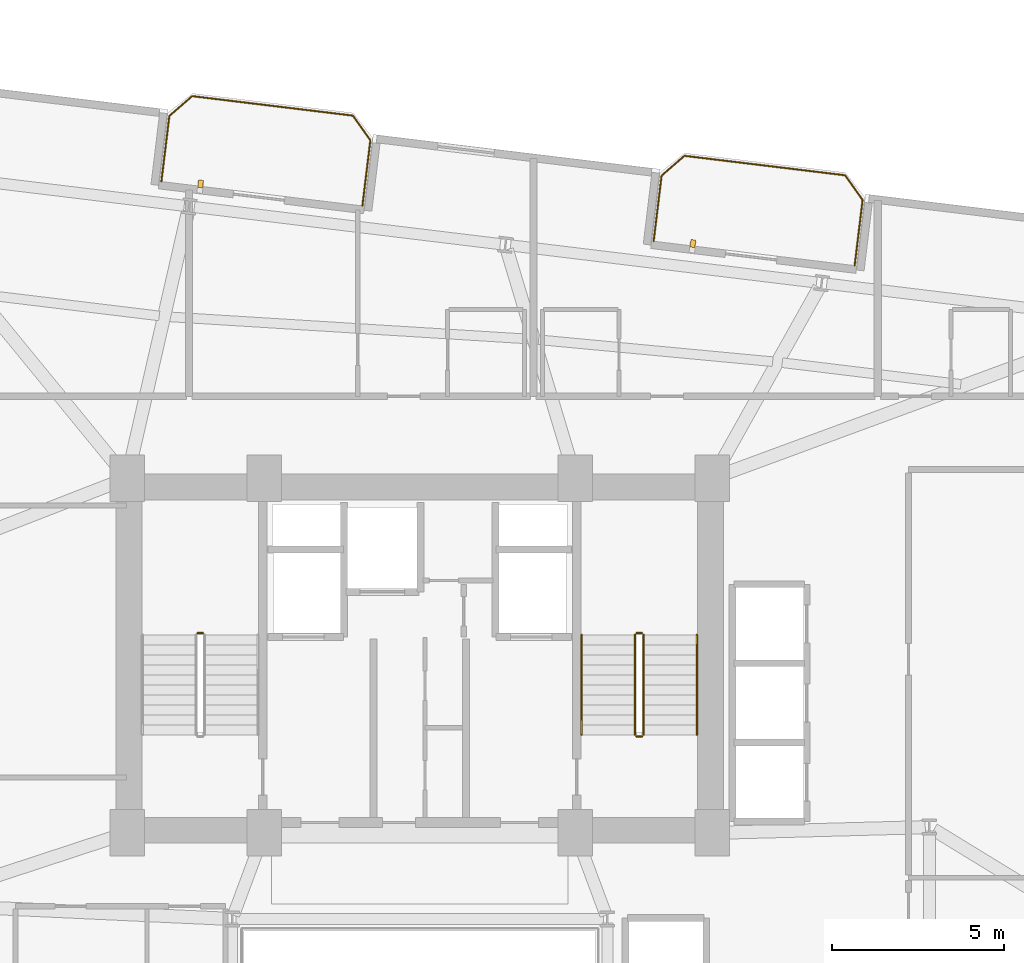
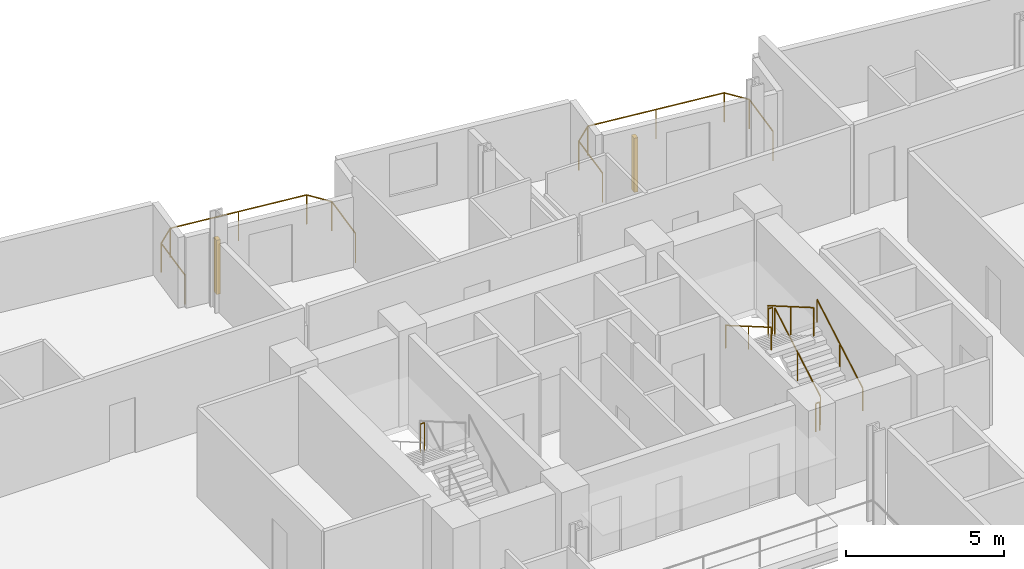
# One storey, part 26 of 26: 9 railings, 2 shading devices.
"""IFC4 building model written with IfcOpenShell, lengths in metres."""

from ifc_helpers import new_model, si_unit, direction, frame, origin, origin_2d, place, context, subcontext, project, spatial, rectangle, circle, extrude, source, transform, mapped, material, type_object, element, save


model = new_model("IFC4")

# Units and contexts
model_context = context("Model", 3, precision=1e-05, world=origin(), true_north=direction((0.0, 1.0)))
body_context = subcontext(model_context, "Body", "Model", "MODEL_VIEW")
ifc_project = project(units=[si_unit("LENGTHUNIT", "METRE"), si_unit("AREAUNIT", "SQUARE_METRE"), si_unit("VOLUMEUNIT", "CUBIC_METRE"), si_unit("PLANEANGLEUNIT", "RADIAN"), si_unit("MASSUNIT", "GRAM", prefix="KILO")], contexts=[model_context])

# Site, building, storey
site_placement = place(None, origin())
site = spatial("IfcSite", under=ifc_project, at=site_placement, CompositionType="ELEMENT")
building_placement = place(site_placement, origin())
building = spatial("IfcBuilding", under=site, at=building_placement, Name="Varnelok Gate Tower", CompositionType="ELEMENT")
storey_placement = place(building_placement, frame((0.0, 0.0, 121.699951171875)))
storey = spatial("IfcBuildingStorey", under=building, at=storey_placement, Name="L30", CompositionType="ELEMENT", Elevation=121.699951171875)

# Railings
ifc_material_1 = material(Name="Low-E Laminated Double Glazing IGU", Category="glass")
railing_type_1 = type_object("IfcRailingType", Name="RL-BALC-1150", PredefinedType="BALUSTRADE", material=ifc_material_1)
railing_1_placement = place(storey_placement, frame((31.697021484375, 47.66552734375, 0.0)))
element("IfcRailing", 1, at=railing_1_placement, inside=storey, type_object=railing_type_1, Name="L30 North Terrace Balustrade 3", PredefinedType="BALUSTRADE", context=body_context, shape_type="SweptSolid", body=[
    extrude(circle(Radius=0.02392578125, at=origin_2d()), frame((0.0, 0.0, 1.1259765625), z_axis=(0.120293392036, 0.992738384386, 0.0), x_axis=(-0.992738384386, 0.120293392036, 0.0)), (0.0, 0.0, 1.0), 1.919921875),
    extrude(circle(Radius=0.02392578125, at=origin_2d()), frame((0.23095703125, 1.906005859375, 1.1259765625), z_axis=(0.756422670136, 0.654083132411, 0.0), x_axis=(-0.654083132411, 0.756422670136, 0.0)), (0.0, 0.0, 1.0), 0.8779296875),
    extrude(circle(Radius=0.02392578125, at=origin_2d()), frame((0.89501953125, 2.480224609375, 1.1259765625), z_axis=(0.992730585037, -0.120357739811, 0.0), x_axis=(0.120357739811, 0.992730585037, 0.0)), (0.0, 0.0, 1.0), 4.699951171875),
    extrude(circle(Radius=0.02392578125, at=origin_2d()), frame((5.560791015625, 1.91455078125, 1.1259765625), z_axis=(0.578287426437, -0.81583310329, 0.0), x_axis=(0.81583310329, 0.578287426437, 0.0)), (0.0, 0.0, 1.0), 0.877685546875),
    extrude(circle(Radius=0.02392578125, at=origin_2d()), frame((6.068359375, 1.198486328125, 1.1259765625), z_axis=(-0.120418709125, -0.992723191274, 0.0), x_axis=(0.992723191274, -0.120418709125, 0.0)), (0.0, 0.0, 1.0), 1.919921875),
    extrude(circle(Radius=0.02099609375, at=origin_2d()), origin(), (0.0, 0.0, 1.0), 1.101806640625),
    extrude(circle(Radius=0.02099609375, at=origin_2d()), frame((0.23095703125, 1.906005859375, 0.0)), (0.0, 0.0, 1.0), 1.101806640625),
    extrude(circle(Radius=0.02099609375, at=origin_2d()), frame((0.89501953125, 2.480224609375, 0.0)), (0.0, 0.0, 1.0), 1.101806640625),
    extrude(circle(Radius=0.02099609375, at=origin_2d()), frame((3.22802734375, 2.197265625, 0.0)), (0.0, 0.0, 1.0), 1.101806640625),
    extrude(circle(Radius=0.02099609375, at=origin_2d()), frame((5.560791015625, 1.91455078125, 0.0)), (0.0, 0.0, 1.0), 1.101806640625),
    extrude(circle(Radius=0.02099609375, at=origin_2d()), frame((6.068359375, 1.198486328125, 0.0)), (0.0, 0.0, 1.0), 1.101806640625),
    extrude(circle(Radius=0.02099609375, at=origin_2d()), frame((5.837158203125, -0.70751953125, 0.0)), (0.0, 0.0, 1.0), 1.101806640625),
])
railing_2_placement = place(storey_placement, frame((45.992431640625, 45.9326171875, 0.0)))
element("IfcRailing", 2, at=railing_2_placement, inside=storey, type_object=railing_type_1, Name="L30 North Terrace Balustrade 4", PredefinedType="BALUSTRADE", context=body_context, shape_type="SweptSolid", body=[
    extrude(circle(Radius=0.02392578125, at=origin_2d()), frame((0.0, 0.0, 1.1259765625), z_axis=(0.120293392036, 0.992738384386, 0.0), x_axis=(-0.992738384386, 0.120293392036, 0.0)), (0.0, 0.0, 1.0), 1.919921875),
    extrude(circle(Radius=0.02392578125, at=origin_2d()), frame((0.23095703125, 1.906005859375, 1.1259765625), z_axis=(0.756422670136, 0.654083132411, 0.0), x_axis=(-0.654083132411, 0.756422670136, 0.0)), (0.0, 0.0, 1.0), 0.8779296875),
    extrude(circle(Radius=0.02392578125, at=origin_2d()), frame((0.89501953125, 2.480224609375, 1.1259765625), z_axis=(0.992730585037, -0.120357739811, 0.0), x_axis=(0.120357739811, 0.992730585037, 0.0)), (0.0, 0.0, 1.0), 4.699951171875),
    extrude(circle(Radius=0.02392578125, at=origin_2d()), frame((5.560791015625, 1.91455078125, 1.1259765625), z_axis=(0.57815621837, -0.815926091726, 0.0), x_axis=(0.815926091726, 0.57815621837, 0.0)), (0.0, 0.0, 1.0), 0.8779296875),
    extrude(circle(Radius=0.02392578125, at=origin_2d()), frame((6.068359375, 1.1982421875, 1.1259765625), z_axis=(-0.120418709125, -0.992723191274, 0.0), x_axis=(0.992723191274, -0.120418709125, 0.0)), (0.0, 0.0, 1.0), 1.919921875),
    extrude(circle(Radius=0.02099609375, at=origin_2d()), origin(), (0.0, 0.0, 1.0), 1.101806640625),
    extrude(circle(Radius=0.02099609375, at=origin_2d()), frame((0.23095703125, 1.906005859375, 0.0)), (0.0, 0.0, 1.0), 1.101806640625),
    extrude(circle(Radius=0.02099609375, at=origin_2d()), frame((0.89501953125, 2.480224609375, 0.0)), (0.0, 0.0, 1.0), 1.101806640625),
    extrude(circle(Radius=0.02099609375, at=origin_2d()), frame((3.22802734375, 2.197265625, 0.0)), (0.0, 0.0, 1.0), 1.101806640625),
    extrude(circle(Radius=0.02099609375, at=origin_2d()), frame((5.560791015625, 1.91455078125, 0.0)), (0.0, 0.0, 1.0), 1.101806640625),
    extrude(circle(Radius=0.02099609375, at=origin_2d()), frame((6.068359375, 1.1982421875, 0.0)), (0.0, 0.0, 1.0), 1.101806640625),
    extrude(circle(Radius=0.02099609375, at=origin_2d()), frame((5.837158203125, -0.707763671875, 0.0)), (0.0, 0.0, 1.0), 1.101806640625),
])
ifc_material_2 = material(Name="Brushed Stainless Steel AISI 316", Category="steel")
railing_type_2 = type_object("IfcRailingType", Name="RL-HANDRAIL-900", PredefinedType="HANDRAIL", material=ifc_material_2)
railing_3_placement = place(storey_placement, frame((47.25, 31.60009765625, 0.168212890625)))
element("IfcRailing", 3, at=railing_3_placement, inside=storey, type_object=railing_type_2, Name="L30 ST-2 stair handrail 1", PredefinedType="HANDRAIL", context=body_context, shape_type="SweptSolid", body=[
    extrude(circle(Radius=0.02392578125, at=origin_2d()), frame((0.0, 0.0, 0.8759765625), z_axis=(0.0, 0.865038774852, 0.501705010941), x_axis=(-1.0, 0.0, 0.0)), (0.0, 0.0, 1.0), 3.352294921875),
    extrude(circle(Radius=0.02099609375, at=origin_2d()), origin(), (0.0, 0.0, 1.0), 0.851806640625),
    extrude(circle(Radius=0.02099609375, at=origin_2d()), frame((0.0, 1.449951171875, 0.8408203125)), (0.0, 0.0, 1.0), 0.851806640625),
    extrude(circle(Radius=0.02099609375, at=origin_2d()), frame((0.0, 2.89990234375, 1.681884765625)), (0.0, 0.0, 1.0), 0.851806640625),
])
railing_4_placement = place(storey_placement, frame((43.89990234375, 34.5, 2.018310546875)))
element("IfcRailing", 4, at=railing_4_placement, inside=storey, type_object=railing_type_2, Name="L30 ST-2 stair handrail 2", PredefinedType="HANDRAIL", context=body_context, shape_type="SweptSolid", body=[
    extrude(circle(Radius=0.02392578125, at=origin_2d()), frame((0.0, 0.0, 0.8759765625), z_axis=(0.0, -0.86507038078, 0.501650512107), x_axis=(1.0, 0.0, 0.0)), (0.0, 0.0, 1.0), 3.352294921875),
    extrude(circle(Radius=0.02099609375, at=origin_2d()), origin(), (0.0, 0.0, 1.0), 0.851806640625),
    extrude(circle(Radius=0.02099609375, at=origin_2d()), frame((0.0, -1.449951171875, 0.8408203125)), (0.0, 0.0, 1.0), 0.851806640625),
    extrude(circle(Radius=0.02099609375, at=origin_2d()), frame((0.0, -2.89990234375, 1.681640625)), (0.0, 0.0, 1.0), 0.851806640625),
])
ifc_material_3 = material(Name="Galvanized Steel Grade S350GD", Category="steel")
railing_type_3 = type_object("IfcRailingType", Name="RL-STAIR-GUARD1120", PredefinedType="GUARDRAIL", material=ifc_material_3)
railing_5_placement = place(storey_placement, frame((32.89990234375, 34.550048828125, 1.85009765625)))
element("IfcRailing", 5, at=railing_5_placement, inside=storey, type_object=railing_type_3, Name="L30 ST-1 stair guard 2", PredefinedType="GUARDRAIL", context=body_context, shape_type="SweptSolid", body=[
    extrude(circle(Radius=0.02392578125, at=origin_2d()), frame((0.0, 0.0, 1.09619140625), z_axis=(-1.0, 0.0, 0.0), x_axis=(0.0, -1.0, 0.0)), (0.0, 0.0, 1.0), 0.14990234375),
    extrude(circle(Radius=0.02099609375, at=origin_2d()), origin(), (0.0, 0.0, 1.0), 1.072021484375),
    extrude(circle(Radius=0.02099609375, at=origin_2d()), frame((-0.14990234375, 0.0, 0.0)), (0.0, 0.0, 1.0), 1.072021484375),
])
railing_6_placement = place(storey_placement, frame((45.699951171875, 31.60009765625, 0.168212890625)))
element("IfcRailing", 6, at=railing_6_placement, inside=storey, type_object=railing_type_3, Name="L30 ST-2 stair guard 1", PredefinedType="GUARDRAIL", context=body_context, shape_type="SweptSolid", body=[
    extrude(circle(Radius=0.02392578125, at=origin_2d()), frame((0.0, 0.0, 1.09619140625), z_axis=(0.0, 0.865038774852, 0.501705010941), x_axis=(-1.0, 0.0, 0.0)), (0.0, 0.0, 1.0), 3.352294921875),
    extrude(circle(Radius=0.02099609375, at=origin_2d()), origin(), (0.0, 0.0, 1.0), 1.072021484375),
    extrude(circle(Radius=0.02099609375, at=origin_2d()), frame((0.0, 1.449951171875, 0.8408203125)), (0.0, 0.0, 1.0), 1.072021484375),
    extrude(circle(Radius=0.02099609375, at=origin_2d()), frame((0.0, 2.89990234375, 1.681884765625)), (0.0, 0.0, 1.0), 1.072021484375),
])
railing_7_placement = place(storey_placement, frame((45.64990234375, 34.550048828125, 1.85009765625)))
element("IfcRailing", 7, at=railing_7_placement, inside=storey, type_object=railing_type_3, Name="L30 ST-2 stair guard 2", PredefinedType="GUARDRAIL", context=body_context, shape_type="SweptSolid", body=[
    extrude(circle(Radius=0.02392578125, at=origin_2d()), frame((0.0, 0.0, 1.09619140625), z_axis=(-1.0, 0.0, 0.0), x_axis=(0.0, -1.0, 0.0)), (0.0, 0.0, 1.0), 0.14990234375),
    extrude(circle(Radius=0.02099609375, at=origin_2d()), origin(), (0.0, 0.0, 1.0), 1.072021484375),
    extrude(circle(Radius=0.02099609375, at=origin_2d()), frame((-0.14990234375, 0.0, 0.0)), (0.0, 0.0, 1.0), 1.072021484375),
])
railing_8_placement = place(storey_placement, frame((45.449951171875, 34.5, 2.018310546875)))
element("IfcRailing", 8, at=railing_8_placement, inside=storey, type_object=railing_type_3, Name="L30 ST-2 stair guard 3", PredefinedType="GUARDRAIL", context=body_context, shape_type="SweptSolid", body=[
    extrude(circle(Radius=0.02392578125, at=origin_2d()), frame((0.0, 0.0, 1.09619140625), z_axis=(0.0, -0.86507038078, 0.501650512107), x_axis=(1.0, 0.0, 0.0)), (0.0, 0.0, 1.0), 3.352294921875),
    extrude(circle(Radius=0.02099609375, at=origin_2d()), origin(), (0.0, 0.0, 1.0), 1.072021484375),
    extrude(circle(Radius=0.02099609375, at=origin_2d()), frame((0.0, -1.449951171875, 0.8408203125)), (0.0, 0.0, 1.0), 1.072021484375),
    extrude(circle(Radius=0.02099609375, at=origin_2d()), frame((0.0, -2.89990234375, 1.681640625)), (0.0, 0.0, 1.0), 1.072021484375),
])
railing_9_placement = place(storey_placement, frame((45.64990234375, 31.550048828125, 0.0)))
element("IfcRailing", 9, at=railing_9_placement, inside=storey, type_object=railing_type_3, Name="L30 ST-2 stair guard 4", PredefinedType="GUARDRAIL", context=body_context, shape_type="SweptSolid", body=[
    extrude(circle(Radius=0.02392578125, at=origin_2d()), frame((0.0, 0.0, 1.09619140625), z_axis=(-1.0, 0.0, 0.0), x_axis=(0.0, -1.0, 0.0)), (0.0, 0.0, 1.0), 0.14990234375),
    extrude(circle(Radius=0.02099609375, at=origin_2d()), origin(), (0.0, 0.0, 1.0), 1.072021484375),
    extrude(circle(Radius=0.02099609375, at=origin_2d()), frame((-0.14990234375, 0.0, 0.0)), (0.0, 0.0, 1.0), 1.072021484375),
])

# Shading devices
ifc_material_4 = material(Name="Glazed Architectural Terracotta Ceramic", Category="masonry")
shading_device_type = type_object("IfcShadingDeviceType", Name="SHD-TERRA-BAGUETTE", PredefinedType="USERDEFINED", material=ifc_material_4)
shared_shape = source(origin(), body_context, "Body", "SweptSolid", [
    extrude(rectangle(XDim=0.139892578125, YDim=0.219970703125, at=origin_2d()), origin(), (0.0, 0.0, 1.0), 2.10009765625),
])
for number, where, z_axis, x_axis, name in (
    (10, (32.837158203125, 47.597900390625, 0.10009765625), (0.0, 0.0, 1.0), (0.992732158755, -0.12034475881, 0.0), "L30 Terracotta Ceramic Baguette Sunscreen 3.1"),
    (11, (47.132568359375, 45.86474609375, 0.10009765625), (0.0, 0.0, 1.0), (0.992732158755, -0.12034475881, 0.0), "L30 Terracotta Ceramic Baguette Sunscreen 4.1"),
):
    element("IfcShadingDevice", number, at=place(storey_placement, frame(where, z_axis=z_axis, x_axis=x_axis)), inside=storey, type_object=shading_device_type, Name=name, ObjectType="BAGUETTE", PredefinedType="USERDEFINED", context=body_context, shape_type="MappedRepresentation", body=[
        mapped(shared_shape, transform((0.0, 0.0, 0.0), scale=1.0)),
    ])

save(model, "model.ifc")
